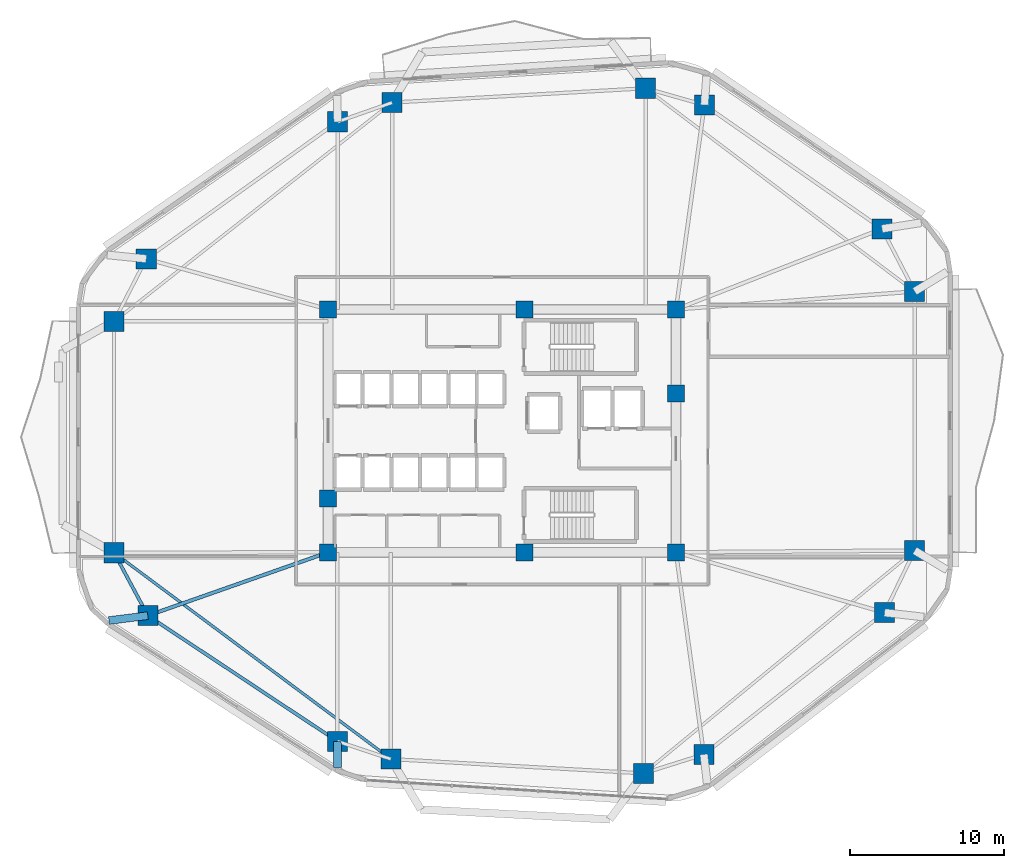
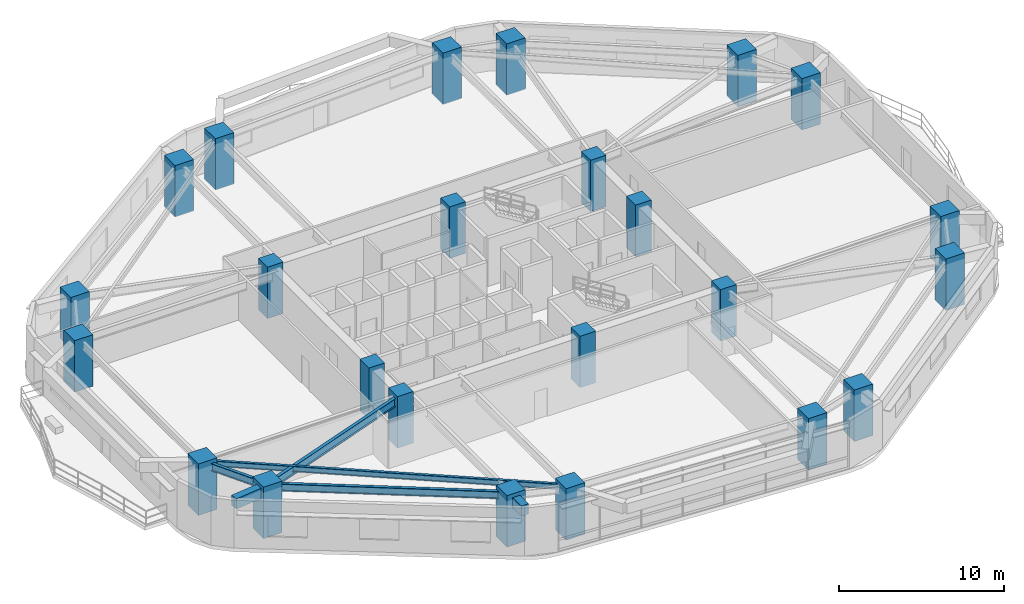
# One storey, part 1 of 13: 24 columns, 6 beams.
"""IFC4 building model written with IfcOpenShell, lengths in metres."""

from ifc_helpers import new_model, si_unit, direction, frame, origin, origin_2d, place, context, subcontext, project, spatial, rectangle, i_section, extrude, material, material_profile, profile_set, type_object, element, save


model = new_model("IFC4")

# Units and contexts
model_context = context("Model", 3, precision=1e-05, world=origin(), true_north=direction((0.0, 1.0)))
body_context = subcontext(model_context, "Body", "Model", "MODEL_VIEW")
ifc_project = project(units=[si_unit("LENGTHUNIT", "METRE"), si_unit("AREAUNIT", "SQUARE_METRE"), si_unit("VOLUMEUNIT", "CUBIC_METRE"), si_unit("PLANEANGLEUNIT", "RADIAN"), si_unit("MASSUNIT", "GRAM", prefix="KILO")], contexts=[model_context])

# Site, building, storey
site_placement = place(None, origin())
site = spatial("IfcSite", under=ifc_project, at=site_placement, CompositionType="ELEMENT")
building_placement = place(site_placement, origin())
building = spatial("IfcBuilding", under=site, at=building_placement, Name="Zulverin Broadcast Headquarters", CompositionType="ELEMENT")
storey_placement = place(building_placement, frame((0.0, 0.0, 70.60009765625)))
storey = spatial("IfcBuildingStorey", under=building, at=storey_placement, Name="L17", CompositionType="ELEMENT", Elevation=70.60009765625)

# Columns
ifc_material_1 = material(Name="Concrete C60/75", Category="concrete")
ifc_material_profile_1 = material_profile(ifc_material_1, rectangle(XDim=1.300048828125, YDim=1.300048828125, at=origin_2d()), Name="Concrete C60/75", Category="concrete")
ifc_profile_set_1 = profile_set([ifc_material_profile_1], Name="Concrete C60/75")
column_type_1 = type_object("IfcColumnType", Name="COL-RC-1300", PredefinedType="COLUMN", material=ifc_profile_set_1)
for number, where, z_axis, x_axis, name in (
    (1, (29.79638671875, 3.922119140625, 0.0), (0.0, 0.0, 1.0), (1.0, 0.0, 0.0), "L17 Perimeter Column T01"),
    (2, (46.175048828125, 2.997802734375, 0.0), (0.0, 0.0, 1.0), (1.0, 0.0, 0.0), "L17 Perimeter Column T02"),
    (3, (50.08056640625, 4.22509765625, 0.0), (0.0, 0.0, 1.0), (1.0, 0.0, 0.0), "L17 Perimeter Column T03"),
    (4, (61.79296875, 13.416259765625, 0.0), (0.0, 0.0, 1.0), (1.0, 0.0, 0.0), "L17 Perimeter Column T04"),
    (5, (63.75, 17.439697265625, 0.0), (0.0, 0.0, 1.0), (1.0, 0.0, 0.0), "L17 Perimeter Column T05"),
    (6, (63.75, 34.235107421875, 0.0), (0.0, 0.0, 1.0), (1.0, 0.0, 0.0), "L17 Perimeter Column T06"),
    (7, (61.630126953125, 38.298583984375, 0.0), (0.0, 0.0, 1.0), (1.0, 0.0, 0.0), "L17 Perimeter Column T07"),
    (8, (50.121826171875, 46.325927734375, 0.0), (0.0, 0.0, 1.0), (1.0, 0.0, 0.0), "L17 Perimeter Column T08"),
    (9, (46.30224609375, 47.4091796875, 0.0), (0.0, 0.0, 1.0), (1.0, 0.0, 0.0), "L17 Perimeter Column T09"),
    (10, (29.873779296875, 46.482177734375, 0.0), (0.0, 0.0, 1.0), (1.0, 0.0, 0.0), "L17 Perimeter Column T10"),
    (11, (26.344482421875, 45.23828125, 0.0), (0.0, 0.0, 1.0), (1.0, 0.0, 0.0), "L17 Perimeter Column T11"),
    (12, (13.934326171875, 36.353759765625, 0.0), (0.0, 0.0, 1.0), (1.0, 0.0, 0.0), "L17 Perimeter Column T12"),
    (13, (11.85009765625, 32.298095703125, 0.0), (0.0, 0.0, 1.0), (1.0, 0.0, 0.0), "L17 Perimeter Column T13"),
    (14, (11.85009765625, 17.297607421875, 0.0), (0.0, 0.0, 1.0), (1.0, 0.0, 0.0), "L17 Perimeter Column T14"),
    (15, (14.0390625, 13.219970703125, 0.0), (0.0, 0.0, 1.0), (1.0, 0.0, 0.0), "L17 Perimeter Column T15"),
    (16, (26.3251953125, 5.075927734375, 0.0), (0.0, 0.0, 1.0), (1.0, 0.0, 0.0), "L17 Perimeter Column T16"),
):
    element("IfcColumn", number, at=place(storey_placement, frame(where, z_axis=z_axis, x_axis=x_axis)), inside=storey, type_object=column_type_1, Name=name, PredefinedType="COLUMN", context=body_context, shape_type="SweptSolid", body=[
        extrude(rectangle(XDim=1.300048828125, YDim=1.300048828125, at=origin_2d()), origin(), (0.0, 0.0, 1.0), 3.7998046875),
    ])
ifc_material_profile_2 = material_profile(ifc_material_1, rectangle(XDim=1.10009765625, YDim=1.10009765625, at=origin_2d()), Name="Concrete C60/75", Category="concrete")
ifc_profile_set_2 = profile_set([ifc_material_profile_2], Name="Concrete C60/75")
column_type_2 = type_object("IfcColumnType", Name="PIL-RC-1100", PredefinedType="PILASTER", material=ifc_profile_set_2)
for number, where, z_axis, x_axis, name in (
    (17, (25.72509765625, 17.324951171875, 0.0), (0.0, 0.0, 1.0), (1.0, 0.0, 0.0), "L17 Core Pilaster K01"),
    (18, (38.449951171875, 17.324951171875, 0.0), (0.0, 0.0, 1.0), (1.0, 0.0, 0.0), "L17 Core Pilaster K02"),
    (19, (48.27490234375, 17.324951171875, 0.0), (0.0, 0.0, 1.0), (1.0, 0.0, 0.0), "L17 Core Pilaster K03"),
    (20, (48.27490234375, 27.6201171875, 0.0), (0.0, 0.0, 1.0), (1.0, 0.0, 0.0), "L17 Core Pilaster K04"),
    (21, (48.27490234375, 33.074951171875, 0.0), (0.0, 0.0, 1.0), (1.0, 0.0, 0.0), "L17 Core Pilaster K05"),
    (22, (38.449951171875, 33.074951171875, 0.0), (0.0, 0.0, 1.0), (1.0, 0.0, 0.0), "L17 Core Pilaster K06"),
    (23, (25.72509765625, 33.074951171875, 0.0), (0.0, 0.0, 1.0), (1.0, 0.0, 0.0), "L17 Core Pilaster K07"),
    (24, (25.72509765625, 20.800048828125, 0.0), (0.0, 0.0, 1.0), (1.0, 0.0, 0.0), "L17 Core Pilaster K08"),
):
    element("IfcColumn", number, at=place(storey_placement, frame(where, z_axis=z_axis, x_axis=x_axis)), inside=storey, type_object=column_type_2, Name=name, PredefinedType="PILASTER", context=body_context, shape_type="SweptSolid", body=[
        extrude(rectangle(XDim=1.10009765625, YDim=1.10009765625, at=origin_2d()), origin(), (0.0, 0.0, 1.0), 3.7998046875),
    ])

# Beams
ifc_material_2 = material(Name="Concrete C40/50", Category="concrete")
ifc_material_profile_3 = material_profile(ifc_material_2, rectangle(XDim=0.5, YDim=0.75, at=origin_2d()), Name="Concrete C40/50", Category="concrete")
ifc_profile_set_3 = profile_set([ifc_material_profile_3], Name="Concrete C40/50")
beam_type_1 = type_object("IfcBeamType", Name="BM-RC-500x750", PredefinedType="BEAM", material=ifc_profile_set_3)
beam_1_placement = place(storey_placement, frame((14.0390625, 13.219970703125, 3.14990234375), z_axis=(-0.992258640565, -0.124188526941, 0.0), x_axis=(0.124188526941, -0.992258640565, 0.0)))
element("IfcBeam", 25, at=beam_1_placement, inside=storey, type_object=beam_type_1, Name="L18 Plate Overhang Back-Spanned Beam OVR-15", PredefinedType="BEAM", context=body_context, shape_type="SweptSolid", body=[
    extrude(rectangle(XDim=0.5, YDim=0.75, at=origin_2d()), origin(), (0.0, 0.0, 1.0), 2.5400390625),
])
beam_2_placement = place(storey_placement, frame((26.3251953125, 5.075927734375, 3.14990234375), z_axis=(0.006204786761, -0.999980750125, 0.0), x_axis=(0.999980750125, 0.006204786761, 0.0)))
element("IfcBeam", 26, at=beam_2_placement, inside=storey, type_object=beam_type_1, Name="L18 Plate Overhang Back-Spanned Beam OVR-16", PredefinedType="BEAM", context=body_context, shape_type="SweptSolid", body=[
    extrude(rectangle(XDim=0.5, YDim=0.75, at=origin_2d()), origin(), (0.0, 0.0, 1.0), 1.69189453125),
])
ifc_material_3 = material(Name="Structural steel S355JR", Category="steel")
ifc_material_profile_4 = material_profile(ifc_material_3, i_section(OverallWidth=0.179443359375, OverallDepth=0.412841796875, WebThickness=0.009521484375, FlangeThickness=0.01611328125, at=origin_2d()), Name="Structural steel S355JR", Category="steel")
ifc_profile_set_4 = profile_set([ifc_material_profile_4], Name="Structural steel S355JR")
beam_type_2 = type_object("IfcBeamType", Name="BM-UB-406", PredefinedType="JOIST", material=ifc_profile_set_4)
beam_3_placement = place(storey_placement, frame((11.85009765625, 17.297607421875, 3.318603515625), z_axis=(0.801802688634, -0.59758886243, 0.0), x_axis=(0.59758886243, 0.801802688634, 0.0)))
element("IfcBeam", 27, at=beam_3_placement, inside=storey, type_object=beam_type_2, Name="L17 Chordal Floor Joist J-04", PredefinedType="JOIST", context=body_context, shape_type="SweptSolid", body=[
    extrude(i_section(OverallWidth=0.179443359375, OverallDepth=0.412841796875, WebThickness=0.009521484375, FlangeThickness=0.01611328125, at=origin_2d()), origin(), (0.0, 0.0, 1.0), 22.38232421875),
])
ifc_material_profile_5 = material_profile(ifc_material_3, i_section(OverallWidth=0.2119140625, OverallDepth=0.54443359375, WebThickness=0.0126953125, FlangeThickness=0.021240234375, at=origin_2d()), Name="Structural steel S355JR", Category="steel")
ifc_profile_set_5 = profile_set([ifc_material_profile_5], Name="Structural steel S355JR")
beam_type_3 = type_object("IfcBeamType", Name="BM-UB-533", PredefinedType="SPANDREL", material=ifc_profile_set_5)
beam_4_placement = place(storey_placement, frame((11.85009765625, 17.297607421875, 3.252685546875), z_axis=(0.472979536362, -0.881073412482, 0.0), x_axis=(0.881073412482, 0.472979536362, 0.0)))
element("IfcBeam", 28, at=beam_4_placement, inside=storey, type_object=beam_type_3, Name="L17 Perimeter Spandrel Beam SP-14", PredefinedType="SPANDREL", context=body_context, shape_type="SweptSolid", body=[
    extrude(i_section(OverallWidth=0.2119140625, OverallDepth=0.54443359375, WebThickness=0.0126953125, FlangeThickness=0.021240234375, at=origin_2d()), origin(), (0.0, 0.0, 1.0), 4.6279296875),
])
beam_5_placement = place(storey_placement, frame((14.0390625, 13.219970703125, 3.252685546875), z_axis=(0.833510030956, -0.552504324232, 0.0), x_axis=(0.552504324232, 0.833510030956, 0.0)))
element("IfcBeam", 29, at=beam_5_placement, inside=storey, type_object=beam_type_3, Name="L17 Perimeter Spandrel Beam SP-15", PredefinedType="SPANDREL", context=body_context, shape_type="SweptSolid", body=[
    extrude(i_section(OverallWidth=0.2119140625, OverallDepth=0.54443359375, WebThickness=0.0126953125, FlangeThickness=0.021240234375, at=origin_2d()), origin(), (0.0, 0.0, 1.0), 14.740234375),
])
ifc_material_profile_6 = material_profile(ifc_material_3, i_section(OverallWidth=0.230224609375, OverallDepth=0.6171875, WebThickness=0.01318359375, FlangeThickness=0.022216796875, at=origin_2d()), Name="Structural steel S355JR", Category="steel")
ifc_profile_set_6 = profile_set([ifc_material_profile_6], Name="Structural steel S355JR")
beam_type_4 = type_object("IfcBeamType", Name="BM-UB-610", PredefinedType="BEAM", material=ifc_profile_set_6)
beam_6_placement = place(storey_placement, frame((25.72509765625, 17.324951171875, 3.21630859375), z_axis=(-0.943483462345, -0.331419607569, 0.0), x_axis=(0.331419607569, -0.943483462345, 0.0)))
element("IfcBeam", 30, at=beam_6_placement, inside=storey, type_object=beam_type_4, Name="L17 Radial Primary Floor Beam RB-15", PredefinedType="BEAM", context=body_context, shape_type="SweptSolid", body=[
    extrude(i_section(OverallWidth=0.230224609375, OverallDepth=0.6171875, WebThickness=0.01318359375, FlangeThickness=0.022216796875, at=origin_2d()), origin(), (0.0, 0.0, 1.0), 12.385986328125),
])

save(model, "model.ifc")
